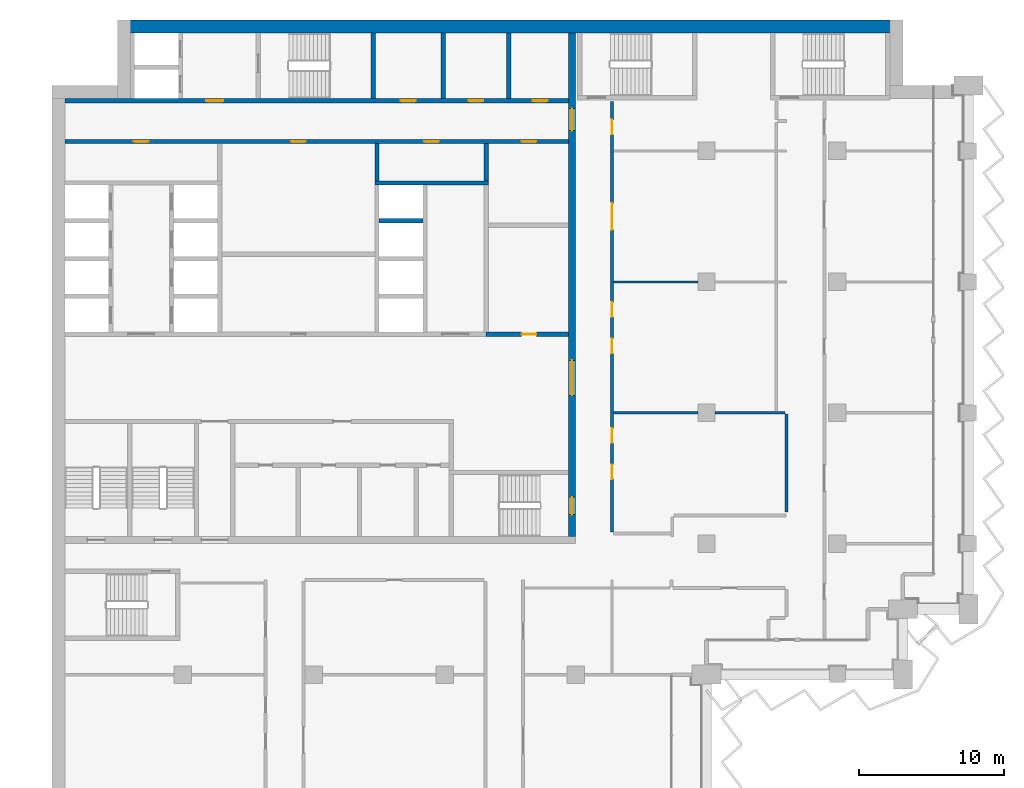
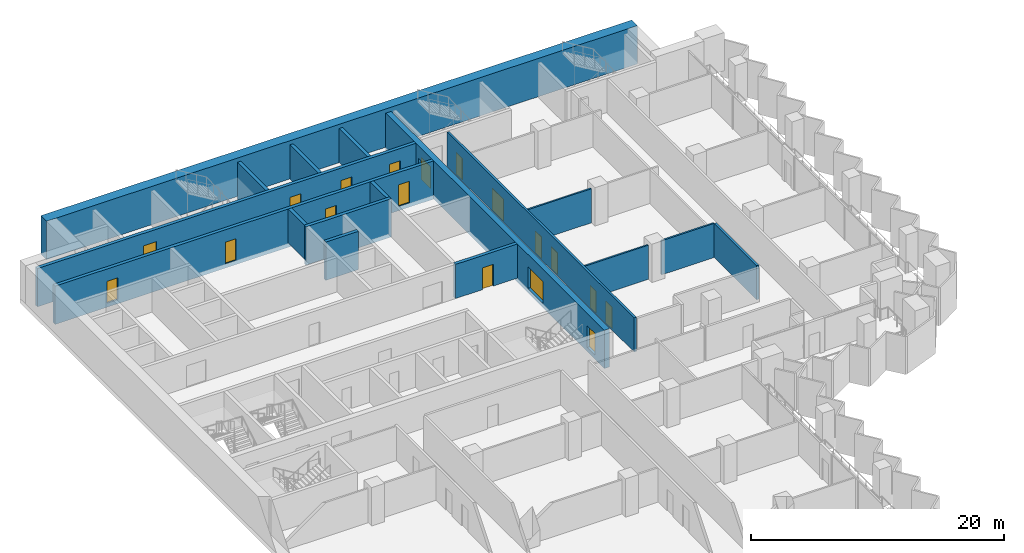
# One storey, part 13 of 22: 18 doors, 17 walls, 18 openings.
"""IFC4 building model written with IfcOpenShell, lengths in metres."""

from ifc_helpers import new_model, si_unit, direction, frame, frame_2d, origin, place, context, subcontext, project, spatial, rectangle, extrude, material, layer, layer_set, type_object, element, fill, save


model = new_model("IFC4")

# Units and contexts
model_context = context("Model", 3, precision=1e-05, world=origin(), true_north=direction((0.0, 1.0)))
body_context = subcontext(model_context, "Body", "Model", "MODEL_VIEW")
ifc_project = project(units=[si_unit("LENGTHUNIT", "METRE"), si_unit("AREAUNIT", "SQUARE_METRE"), si_unit("VOLUMEUNIT", "CUBIC_METRE"), si_unit("PLANEANGLEUNIT", "RADIAN"), si_unit("MASSUNIT", "GRAM", prefix="KILO")], contexts=[model_context])

# Site, building, storey
site_placement = place(None, origin())
site = spatial("IfcSite", under=ifc_project, at=site_placement, CompositionType="ELEMENT")
building_placement = place(site_placement, origin())
building = spatial("IfcBuilding", under=site, at=building_placement, Name="Hunhe Ridgeline Campus", CompositionType="ELEMENT")
storey_placement = place(building_placement, frame((0.0, 0.0, 159.699951171875)))
storey = spatial("IfcBuildingStorey", under=building, at=storey_placement, Name="L40", CompositionType="ELEMENT", Elevation=159.699951171875)

# Wall, opening, door
ifc_material_1 = material(Name="Masonry concrete blockwork", Category="masonry")
ifc_layer_1 = layer(ifc_material_1, 0.300048828125)
ifc_layer_set_1 = layer_set([ifc_layer_1], Name="Core room partition 300 concrete block")
wall_type_1 = type_object("IfcWallType", Name="Core room partition 300 concrete block", PredefinedType="PARTITIONING", material=ifc_layer_set_1)
wall_1_placement = place(storey_placement, frame((29.85009765625, 77.39990234375, 0.0), z_axis=(0.0, 0.0, 1.0), x_axis=(1.0, 0.0, 0.0)))
wall_1 = element("IfcWall", 1, at=wall_1_placement, inside=storey, type_object=wall_type_1, Name="L40 core partition 13", PredefinedType="PARTITIONING", context=body_context, shape_type="SweptSolid", body=[
    extrude(rectangle(XDim=5.64990234375, YDim=0.300048828125, at=frame_2d((2.824951171875, 0.0))), origin(), (0.0, 0.0, 1.0), 3.300048828125),
])
opening_1_placement = place(wall_1_placement, frame((2.449951171875, 0.0, 0.0)))
opening_1 = element("IfcOpeningElement", 2, at=opening_1_placement, cuts=wall_1, Name="Opening CD32", PredefinedType="OPENING", context=body_context, shape_type="SweptSolid", body=[
    extrude(rectangle(XDim=1.0, YDim=2.10009765625, at=frame_2d((0.5, 1.050048828125))), frame((0.0, 0.14990234375, 0.0), z_axis=(0.0, -1.0, 0.0), x_axis=(1.0, 0.0, 0.0)), (0.0, 0.0, 1.0), 0.300048828125),
])
ifc_material_2 = material(Name="Solid core timber door leaf", Category="wood")
door_type_1 = type_object("IfcDoorType", Name="Timber door 1000x2100", OperationType="SINGLE_SWING_LEFT", PredefinedType="DOOR", material=ifc_material_2)
door_1_placement = place(opening_1_placement, origin())
door_1 = element("IfcDoor", 3, at=door_1_placement, inside=storey, type_object=door_type_1, Name="L40 door ES0", OperationType="SINGLE_SWING_LEFT", OverallHeight=2.10009765625, OverallWidth=1.0, PredefinedType="DOOR", context=body_context, shape_type="SweptSolid", body=[
    extrude(rectangle(XDim=1.0, YDim=2.10009765625, at=frame_2d((0.5, 1.050048828125))), frame((0.0, 0.02490234375, 0.0), z_axis=(0.0, -1.0, 0.0), x_axis=(1.0, 0.0, 0.0)), (0.0, 0.0, 1.0), 0.050048828125),
])
fill(opening_1, door_1)

# Walls
wall_2_placement = place(storey_placement, frame((22.35009765625, 87.949951171875, 0.0), z_axis=(0.0, 0.0, 1.0), x_axis=(0.0, 1.0, 0.0)))
element("IfcWall", 4, at=wall_2_placement, inside=storey, type_object=wall_type_1, Name="L40 core partition 49", PredefinedType="PARTITIONING", context=body_context, shape_type="SweptSolid", body=[
    extrude(rectangle(XDim=2.550048828125, YDim=0.300048828125, at=frame_2d((1.27490234375, 0.0))), origin(), (0.0, 0.0, 1.0), 3.300048828125),
])
wall_3_placement = place(storey_placement, frame((26.89990234375, 93.60009765625, 0.0), z_axis=(0.0, 0.0, 1.0), x_axis=(0.0, 1.0, 0.0)))
element("IfcWall", 5, at=wall_3_placement, inside=storey, type_object=wall_type_1, Name="L40 core partition 53", PredefinedType="PARTITIONING", context=body_context, shape_type="SweptSolid", body=[
    extrude(rectangle(XDim=4.5, YDim=0.300048828125, at=frame_2d((2.25, 0.0))), origin(), (0.0, 0.0, 1.0), 3.300048828125),
])
wall_4_placement = place(storey_placement, frame((29.85009765625, 87.949951171875, 0.0), z_axis=(0.0, 0.0, 1.0), x_axis=(0.0, 1.0, 0.0)))
element("IfcWall", 6, at=wall_4_placement, inside=storey, type_object=wall_type_1, Name="L40 core partition 57", PredefinedType="PARTITIONING", context=body_context, shape_type="SweptSolid", body=[
    extrude(rectangle(XDim=2.550048828125, YDim=0.300048828125, at=frame_2d((1.27490234375, 0.0))), origin(), (0.0, 0.0, 1.0), 3.300048828125),
])
wall_5_placement = place(storey_placement, frame((31.39990234375, 93.60009765625, 0.0), z_axis=(0.0, 0.0, 1.0), x_axis=(0.0, 1.0, 0.0)))
element("IfcWall", 7, at=wall_5_placement, inside=storey, type_object=wall_type_1, Name="L40 core partition 58", PredefinedType="PARTITIONING", context=body_context, shape_type="SweptSolid", body=[
    extrude(rectangle(XDim=4.5, YDim=0.300048828125, at=frame_2d((2.25, 0.0))), origin(), (0.0, 0.0, 1.0), 3.300048828125),
])

# Wall, openings, doors
ifc_material_3 = material(Name="Concrete C70", Category="concrete")
ifc_layer_2 = layer(ifc_material_3, 0.5)
ifc_layer_set_2 = layer_set([ifc_layer_2], Name="Core wall 500 reinforced concrete C70")
wall_type_2 = type_object("IfcWallType", Name="Core wall 500 reinforced concrete C70", PredefinedType="SOLIDWALL", material=ifc_layer_set_2)
wall_6_placement = place(storey_placement, frame((35.75, 63.5, -0.39990234375), z_axis=(0.0, 0.0, 1.0), x_axis=(0.0, 1.0, 0.0)))
wall_6 = element("IfcWall", 8, at=wall_6_placement, inside=storey, type_object=wall_type_2, Name="L40 core wall 59", PredefinedType="SOLIDWALL", context=body_context, shape_type="SweptSolid", body=[
    extrude(rectangle(XDim=34.60009765625, YDim=0.5, at=frame_2d((17.300048828125, 0.0))), origin(), (0.0, 0.0, 1.0), 3.699951171875),
])
opening_2_placement = place(wall_6_placement, frame((9.699951171875, 0.0, 0.39990234375)))
opening_2 = element("IfcOpeningElement", 9, at=opening_2_placement, cuts=wall_6, Name="Opening CD4", PredefinedType="OPENING", context=body_context, shape_type="SweptSolid", body=[
    extrude(rectangle(XDim=2.39990234375, YDim=2.10009765625, at=frame_2d((1.199951171875, 1.050048828125))), frame((0.0, 0.25, 0.0), z_axis=(0.0, -1.0, 0.0), x_axis=(1.0, 0.0, 0.0)), (0.0, 0.0, 1.0), 0.5),
])
opening_3_placement = place(wall_6_placement, frame((27.89990234375, 0.0, 0.39990234375)))
opening_3 = element("IfcOpeningElement", 10, at=opening_3_placement, cuts=wall_6, Name="Opening CD5", PredefinedType="OPENING", context=body_context, shape_type="SweptSolid", body=[
    extrude(rectangle(XDim=1.5, YDim=2.10009765625, at=frame_2d((0.75, 1.050048828125))), frame((0.0, 0.25, 0.0), z_axis=(0.0, -1.0, 0.0), x_axis=(1.0, 0.0, 0.0)), (0.0, 0.0, 1.0), 0.5),
])
opening_4_placement = place(wall_6_placement, frame((1.5, 0.0, 0.39990234375)))
opening_4 = element("IfcOpeningElement", 11, at=opening_4_placement, cuts=wall_6, Name="Opening CD15", PredefinedType="OPENING", context=body_context, shape_type="SweptSolid", body=[
    extrude(rectangle(XDim=1.199951171875, YDim=2.10009765625, at=frame_2d((0.60009765625, 1.050048828125))), frame((0.0, 0.25, 0.0), z_axis=(0.0, -1.0, 0.0), x_axis=(1.0, 0.0, 0.0)), (0.0, 0.0, 1.0), 0.5),
])
ifc_material_4 = material(Name="Anodised aluminium and glass", Category="aluminium")
door_type_2 = type_object("IfcDoorType", Name="Glazed double door 2400x2100", OperationType="DOUBLE_DOOR_SINGLE_SWING", PredefinedType="DOOR", material=ifc_material_4)
door_2_placement = place(opening_2_placement, frame((2.39990234375, 0.0, 0.0), z_axis=(0.0, 0.0, 1.0), x_axis=(-1.0, 0.0, 0.0)))
door_2 = element("IfcDoor", 12, at=door_2_placement, inside=storey, type_object=door_type_2, Name="L40 door HALL-FLOOR", OperationType="DOUBLE_DOOR_SINGLE_SWING", OverallHeight=2.10009765625, OverallWidth=2.39990234375, PredefinedType="DOOR", context=body_context, shape_type="SweptSolid", body=[
    extrude(rectangle(XDim=2.39990234375, YDim=2.10009765625, at=frame_2d((1.199951171875, 1.050048828125))), frame((0.0, 0.02490234375, 0.0), z_axis=(0.0, -1.0, 0.0), x_axis=(1.0, 0.0, 0.0)), (0.0, 0.0, 1.0), 0.050048828125),
])
fill(opening_2, door_2)
ifc_material_5 = material(Name="Hollow metal fire door leaf")
door_type_3 = type_object("IfcDoorType", Name="Stair door 1200x2100 FD60", OperationType="SINGLE_SWING_LEFT", PredefinedType="DOOR", material=ifc_material_5)
door_3_placement = place(opening_4_placement, frame((1.199951171875, 0.0, 0.0), z_axis=(0.0, 0.0, 1.0), x_axis=(-1.0, 0.0, 0.0)))
door_3 = element("IfcDoor", 13, at=door_3_placement, inside=storey, type_object=door_type_3, Name="L40 door S2-FLOOR", OperationType="SINGLE_SWING_RIGHT", OverallHeight=2.10009765625, OverallWidth=1.199951171875, PredefinedType="DOOR", context=body_context, shape_type="SweptSolid", body=[
    extrude(rectangle(XDim=1.199951171875, YDim=2.10009765625, at=frame_2d((0.60009765625, 1.050048828125))), frame((0.0, 0.02490234375, 0.0), z_axis=(0.0, -1.0, 0.0), x_axis=(1.0, 0.0, 0.0)), (0.0, 0.0, 1.0), 0.050048828125),
])
fill(opening_4, door_3)
door_type_4 = type_object("IfcDoorType", Name="Timber door 1500x2100", OperationType="SINGLE_SWING_LEFT", PredefinedType="DOOR", material=ifc_material_2)
door_4_placement = place(opening_3_placement, frame((1.5, 0.0, 0.0), z_axis=(0.0, 0.0, 1.0), x_axis=(-1.0, 0.0, 0.0)))
door_4 = element("IfcDoor", 14, at=door_4_placement, inside=storey, type_object=door_type_4, Name="L40 door C1-FLOOR", OperationType="SINGLE_SWING_RIGHT", OverallHeight=2.10009765625, OverallWidth=1.5, PredefinedType="DOOR", context=body_context, shape_type="SweptSolid", body=[
    extrude(rectangle(XDim=1.5, YDim=2.10009765625, at=frame_2d((0.75, 1.050048828125))), frame((0.0, 0.02490234375, 0.0), z_axis=(0.0, -1.0, 0.0), x_axis=(1.0, 0.0, 0.0)), (0.0, 0.0, 1.0), 0.050048828125),
])
fill(opening_3, door_4)

ifc_material_6 = material(Name="Gypsum board partition")
ifc_layer_3 = layer(ifc_material_6, 0.199951171875)
ifc_layer_set_3 = layer_set([ifc_layer_3], Name="Corridor partition 200 gypsum board on steel studs")
wall_type_3 = type_object("IfcWallType", Name="Corridor partition 200 gypsum board on steel studs", PredefinedType="PARTITIONING", material=ifc_layer_set_3)
wall_7_placement = place(storey_placement, frame((38.5, 93.39599609375, 0.0), z_axis=(0.0, 0.0, 1.0), x_axis=(0.0, -1.0, 0.0)))
wall_7 = element("IfcWall", 15, at=wall_7_placement, inside=storey, type_object=wall_type_3, Name="F-L40-wall-064", PredefinedType="PARTITIONING", context=body_context, shape_type="SweptSolid", body=[
    extrude(rectangle(XDim=29.595947265625, YDim=0.199951171875, at=frame_2d((14.7978515625, 0.0))), origin(), (0.0, 0.0, 1.0), 3.300048828125),
])
opening_5_placement = place(wall_7_placement, frame((24.95751953125, 0.0, 0.0)))
opening_5 = element("IfcOpeningElement", 16, at=opening_5_placement, cuts=wall_7, Name="Opening RD1-030", PredefinedType="OPENING", context=body_context, shape_type="SweptSolid", body=[
    extrude(rectangle(XDim=1.0, YDim=2.10009765625, at=frame_2d((0.5, 1.050048828125))), frame((0.0, 0.10009765625, 0.0), z_axis=(0.0, -1.0, 0.0), x_axis=(1.0, 0.0, 0.0)), (0.0, 0.0, 1.0), 0.199951171875),
])
opening_6_placement = place(wall_7_placement, frame((22.45751953125, 0.0, 0.0)))
opening_6 = element("IfcOpeningElement", 17, at=opening_6_placement, cuts=wall_7, Name="Opening RD1-031", PredefinedType="OPENING", context=body_context, shape_type="SweptSolid", body=[
    extrude(rectangle(XDim=1.0, YDim=2.10009765625, at=frame_2d((0.5, 1.050048828125))), frame((0.0, 0.10009765625, 0.0), z_axis=(0.0, -1.0, 0.0), x_axis=(1.0, 0.0, 0.0)), (0.0, 0.0, 1.0), 0.199951171875),
])
opening_7_placement = place(wall_7_placement, frame((16.304443359375, 0.0, 0.0)))
opening_7 = element("IfcOpeningElement", 18, at=opening_7_placement, cuts=wall_7, Name="Opening RD1-032", PredefinedType="OPENING", context=body_context, shape_type="SweptSolid", body=[
    extrude(rectangle(XDim=1.0, YDim=2.10009765625, at=frame_2d((0.5, 1.050048828125))), frame((0.0, 0.10009765625, 0.0), z_axis=(0.0, -1.0, 0.0), x_axis=(1.0, 0.0, 0.0)), (0.0, 0.0, 1.0), 0.199951171875),
])
opening_8_placement = place(wall_7_placement, frame((13.804443359375, 0.0, 0.0)))
opening_8 = element("IfcOpeningElement", 19, at=opening_8_placement, cuts=wall_7, Name="Opening RD1-034", PredefinedType="OPENING", context=body_context, shape_type="SweptSolid", body=[
    extrude(rectangle(XDim=1.0, YDim=2.10009765625, at=frame_2d((0.5, 1.050048828125))), frame((0.0, 0.10009765625, 0.0), z_axis=(0.0, -1.0, 0.0), x_axis=(1.0, 0.0, 0.0)), (0.0, 0.0, 1.0), 0.199951171875),
])
opening_9_placement = place(wall_7_placement, frame((7.00048828125, 0.0, 0.0)))
opening_9 = element("IfcOpeningElement", 20, at=opening_9_placement, cuts=wall_7, Name="Opening RD2-035", PredefinedType="OPENING", context=body_context, shape_type="SweptSolid", body=[
    extrude(rectangle(XDim=1.800048828125, YDim=2.10009765625, at=frame_2d((0.89990234375, 1.050048828125))), frame((0.0, 0.10009765625, 0.0), z_axis=(0.0, -1.0, 0.0), x_axis=(1.0, 0.0, 0.0)), (0.0, 0.0, 1.0), 0.199951171875),
])
opening_10_placement = place(wall_7_placement, frame((1.255615234375, 0.0, 0.0)))
opening_10 = element("IfcOpeningElement", 21, at=opening_10_placement, cuts=wall_7, Name="Opening RD1-037", PredefinedType="OPENING", context=body_context, shape_type="SweptSolid", body=[
    extrude(rectangle(XDim=1.0, YDim=2.10009765625, at=frame_2d((0.5, 1.050048828125))), frame((0.0, 0.10009765625, 0.0), z_axis=(0.0, -1.0, 0.0), x_axis=(1.0, 0.0, 0.0)), (0.0, 0.0, 1.0), 0.199951171875),
])
ifc_material_7 = material(Name="Timber door leaf", Category="wood")
door_type_5 = type_object("IfcDoorType", Name="Double fire door 1800x2100 timber FD60", OperationType="DOUBLE_DOOR_SINGLE_SWING", PredefinedType="DOOR", material=ifc_material_7)
door_5_placement = place(opening_9_placement, origin())
door_5 = element("IfcDoor", 22, at=door_5_placement, inside=storey, type_object=door_type_5, Name="F-L40-door-035", OperationType="DOUBLE_DOOR_SINGLE_SWING", OverallHeight=2.10009765625, OverallWidth=1.800048828125, PredefinedType="DOOR", context=body_context, shape_type="SweptSolid", body=[
    extrude(rectangle(XDim=1.800048828125, YDim=2.10009765625, at=frame_2d((0.89990234375, 1.050048828125))), frame((0.0, 0.02490234375, 0.0), z_axis=(0.0, -1.0, 0.0), x_axis=(1.0, 0.0, 0.0)), (0.0, 0.0, 1.0), 0.050048828125),
])
fill(opening_9, door_5)
door_type_6 = type_object("IfcDoorType", Name="Single fire door 1000x2100 timber FD60", OperationType="NOTDEFINED", PredefinedType="DOOR", material=ifc_material_7)
door_6_placement = place(opening_5_placement, frame((1.0, 0.0, 0.0), z_axis=(0.0, 0.0, 1.0), x_axis=(-1.0, 0.0, 0.0)))
door_6 = element("IfcDoor", 23, at=door_6_placement, inside=storey, type_object=door_type_6, Name="F-L40-door-030", OperationType="SINGLE_SWING_LEFT", OverallHeight=2.10009765625, OverallWidth=1.0, PredefinedType="DOOR", context=body_context, shape_type="SweptSolid", body=[
    extrude(rectangle(XDim=1.0, YDim=2.10009765625, at=frame_2d((0.5, 1.050048828125))), frame((0.0, 0.02490234375, 0.0), z_axis=(0.0, -1.0, 0.0), x_axis=(1.0, 0.0, 0.0)), (0.0, 0.0, 1.0), 0.050048828125),
])
fill(opening_5, door_6)
door_7_placement = place(opening_6_placement, frame((1.0, 0.0, 0.0), z_axis=(0.0, 0.0, 1.0), x_axis=(-1.0, 0.0, 0.0)))
door_7 = element("IfcDoor", 24, at=door_7_placement, inside=storey, type_object=door_type_6, Name="F-L40-door-031", OperationType="SINGLE_SWING_RIGHT", OverallHeight=2.10009765625, OverallWidth=1.0, PredefinedType="DOOR", context=body_context, shape_type="SweptSolid", body=[
    extrude(rectangle(XDim=1.0, YDim=2.10009765625, at=frame_2d((0.5, 1.050048828125))), frame((0.0, 0.02490234375, 0.0), z_axis=(0.0, -1.0, 0.0), x_axis=(1.0, 0.0, 0.0)), (0.0, 0.0, 1.0), 0.050048828125),
])
fill(opening_6, door_7)
door_8_placement = place(opening_7_placement, frame((1.0, 0.0, 0.0), z_axis=(0.0, 0.0, 1.0), x_axis=(-1.0, 0.0, 0.0)))
door_8 = element("IfcDoor", 25, at=door_8_placement, inside=storey, type_object=door_type_6, Name="F-L40-door-032", OperationType="SINGLE_SWING_RIGHT", OverallHeight=2.10009765625, OverallWidth=1.0, PredefinedType="DOOR", context=body_context, shape_type="SweptSolid", body=[
    extrude(rectangle(XDim=1.0, YDim=2.10009765625, at=frame_2d((0.5, 1.050048828125))), frame((0.0, 0.02490234375, 0.0), z_axis=(0.0, -1.0, 0.0), x_axis=(1.0, 0.0, 0.0)), (0.0, 0.0, 1.0), 0.050048828125),
])
fill(opening_7, door_8)
door_9_placement = place(opening_8_placement, frame((1.0, 0.0, 0.0), z_axis=(0.0, 0.0, 1.0), x_axis=(-1.0, 0.0, 0.0)))
door_9 = element("IfcDoor", 26, at=door_9_placement, inside=storey, type_object=door_type_6, Name="F-L40-door-034", OperationType="SINGLE_SWING_RIGHT", OverallHeight=2.10009765625, OverallWidth=1.0, PredefinedType="DOOR", context=body_context, shape_type="SweptSolid", body=[
    extrude(rectangle(XDim=1.0, YDim=2.10009765625, at=frame_2d((0.5, 1.050048828125))), frame((0.0, 0.02490234375, 0.0), z_axis=(0.0, -1.0, 0.0), x_axis=(1.0, 0.0, 0.0)), (0.0, 0.0, 1.0), 0.050048828125),
])
fill(opening_8, door_9)
door_10_placement = place(opening_10_placement, origin())
door_10 = element("IfcDoor", 27, at=door_10_placement, inside=storey, type_object=door_type_6, Name="F-L40-door-037", OperationType="SINGLE_SWING_LEFT", OverallHeight=2.10009765625, OverallWidth=1.0, PredefinedType="DOOR", context=body_context, shape_type="SweptSolid", body=[
    extrude(rectangle(XDim=1.0, YDim=2.10009765625, at=frame_2d((0.5, 1.050048828125))), frame((0.0, 0.02490234375, 0.0), z_axis=(0.0, -1.0, 0.0), x_axis=(1.0, 0.0, 0.0)), (0.0, 0.0, 1.0), 0.050048828125),
])
fill(opening_10, door_10)

# Wall
wall_8_placement = place(storey_placement, frame((50.5, 65.193603515625, 0.0), z_axis=(0.0, 0.0, 1.0), x_axis=(0.0, 1.0, 0.0)))
element("IfcWall", 28, at=wall_8_placement, inside=storey, type_object=wall_type_3, Name="F-L40-wall-073", PredefinedType="PARTITIONING", context=body_context, shape_type="SweptSolid", body=[
    extrude(rectangle(XDim=6.7314453125, YDim=0.199951171875, at=frame_2d((3.36572265625, 0.0))), origin(), (0.0, 0.0, 1.0), 3.300048828125),
])

# Wall, openings, doors
ifc_layer_4 = layer(ifc_material_3, 0.300048828125)
ifc_layer_set_4 = layer_set([ifc_layer_4], Name="Lobby wall 300 reinforced concrete C70")
wall_type_4 = type_object("IfcWallType", Name="Lobby wall 300 reinforced concrete C70", PredefinedType="SOLIDWALL", material=ifc_layer_set_4)
wall_9_placement = place(storey_placement, frame((0.89990234375, 90.64990234375, -0.39990234375), z_axis=(0.0, 0.0, 1.0), x_axis=(1.0, 0.0, 0.0)))
wall_9 = element("IfcWall", 29, at=wall_9_placement, inside=storey, type_object=wall_type_4, Name="L40 core wall 27", PredefinedType="SOLIDWALL", context=body_context, shape_type="SweptSolid", body=[
    extrude(rectangle(XDim=34.60009765625, YDim=0.300048828125, at=frame_2d((17.300048828125, 0.0))), origin(), (0.0, 0.0, 1.0), 3.699951171875),
])
opening_11_placement = place(wall_9_placement, frame((4.75, 0.0, 0.39990234375)))
opening_11 = element("IfcOpeningElement", 30, at=opening_11_placement, cuts=wall_9, Name="Opening CD26", PredefinedType="OPENING", context=body_context, shape_type="SweptSolid", body=[
    extrude(rectangle(XDim=1.0, YDim=2.10009765625, at=frame_2d((0.5, 1.050048828125))), frame((0.0, 0.14990234375, 0.0), z_axis=(0.0, -1.0, 0.0), x_axis=(1.0, 0.0, 0.0)), (0.0, 0.0, 1.0), 0.300048828125),
])
opening_12_placement = place(wall_9_placement, frame((24.699951171875, 0.0, 0.39990234375)))
opening_12 = element("IfcOpeningElement", 31, at=opening_12_placement, cuts=wall_9, Name="Opening CD27", PredefinedType="OPENING", context=body_context, shape_type="SweptSolid", body=[
    extrude(rectangle(XDim=1.0, YDim=2.10009765625, at=frame_2d((0.5, 1.050048828125))), frame((0.0, 0.14990234375, 0.0), z_axis=(0.0, -1.0, 0.0), x_axis=(1.0, 0.0, 0.0)), (0.0, 0.0, 1.0), 0.300048828125),
])
opening_13_placement = place(wall_9_placement, frame((15.550048828125, 0.0, 0.39990234375)))
opening_13 = element("IfcOpeningElement", 32, at=opening_13_placement, cuts=wall_9, Name="Opening CD29", PredefinedType="OPENING", context=body_context, shape_type="SweptSolid", body=[
    extrude(rectangle(XDim=1.0, YDim=2.10009765625, at=frame_2d((0.5, 1.050048828125))), frame((0.0, 0.14990234375, 0.0), z_axis=(0.0, -1.0, 0.0), x_axis=(1.0, 0.0, 0.0)), (0.0, 0.0, 1.0), 0.300048828125),
])
opening_14_placement = place(wall_9_placement, frame((31.39990234375, 0.0, 0.39990234375)))
opening_14 = element("IfcOpeningElement", 33, at=opening_14_placement, cuts=wall_9, Name="Opening CD33", PredefinedType="OPENING", context=body_context, shape_type="SweptSolid", body=[
    extrude(rectangle(XDim=1.0, YDim=2.10009765625, at=frame_2d((0.5, 1.050048828125))), frame((0.0, 0.14990234375, 0.0), z_axis=(0.0, -1.0, 0.0), x_axis=(1.0, 0.0, 0.0)), (0.0, 0.0, 1.0), 0.300048828125),
])
door_11_placement = place(opening_11_placement, frame((1.0, 0.0, 0.0), z_axis=(0.0, 0.0, 1.0), x_axis=(-1.0, 0.0, 0.0)))
door_11 = element("IfcDoor", 34, at=door_11_placement, inside=storey, type_object=door_type_1, Name="L40 door NR-0", OperationType="SINGLE_SWING_LEFT", OverallHeight=2.10009765625, OverallWidth=1.0, PredefinedType="DOOR", context=body_context, shape_type="SweptSolid", body=[
    extrude(rectangle(XDim=1.0, YDim=2.10009765625, at=frame_2d((0.5, 1.050048828125))), frame((0.0, 0.02490234375, 0.0), z_axis=(0.0, -1.0, 0.0), x_axis=(1.0, 0.0, 0.0)), (0.0, 0.0, 1.0), 0.050048828125),
])
fill(opening_11, door_11)
door_12_placement = place(opening_12_placement, frame((1.0, 0.0, 0.0), z_axis=(0.0, 0.0, 1.0), x_axis=(-1.0, 0.0, 0.0)))
door_12 = element("IfcDoor", 35, at=door_12_placement, inside=storey, type_object=door_type_1, Name="L40 door NR-1", OperationType="SINGLE_SWING_RIGHT", OverallHeight=2.10009765625, OverallWidth=1.0, PredefinedType="DOOR", context=body_context, shape_type="SweptSolid", body=[
    extrude(rectangle(XDim=1.0, YDim=2.10009765625, at=frame_2d((0.5, 1.050048828125))), frame((0.0, 0.02490234375, 0.0), z_axis=(0.0, -1.0, 0.0), x_axis=(1.0, 0.0, 0.0)), (0.0, 0.0, 1.0), 0.050048828125),
])
fill(opening_12, door_12)
door_13_placement = place(opening_13_placement, frame((1.0, 0.0, 0.0), z_axis=(0.0, 0.0, 1.0), x_axis=(-1.0, 0.0, 0.0)))
door_13 = element("IfcDoor", 36, at=door_13_placement, inside=storey, type_object=door_type_1, Name="L40 door VD-HR1", OperationType="SINGLE_SWING_RIGHT", OverallHeight=2.10009765625, OverallWidth=1.0, PredefinedType="DOOR", context=body_context, shape_type="SweptSolid", body=[
    extrude(rectangle(XDim=1.0, YDim=2.10009765625, at=frame_2d((0.5, 1.050048828125))), frame((0.0, 0.02490234375, 0.0), z_axis=(0.0, -1.0, 0.0), x_axis=(1.0, 0.0, 0.0)), (0.0, 0.0, 1.0), 0.050048828125),
])
fill(opening_13, door_13)
door_14_placement = place(opening_14_placement, frame((1.0, 0.0, 0.0), z_axis=(0.0, 0.0, 1.0), x_axis=(-1.0, 0.0, 0.0)))
door_14 = element("IfcDoor", 37, at=door_14_placement, inside=storey, type_object=door_type_1, Name="L40 door ES1", OperationType="SINGLE_SWING_LEFT", OverallHeight=2.10009765625, OverallWidth=1.0, PredefinedType="DOOR", context=body_context, shape_type="SweptSolid", body=[
    extrude(rectangle(XDim=1.0, YDim=2.10009765625, at=frame_2d((0.5, 1.050048828125))), frame((0.0, 0.02490234375, 0.0), z_axis=(0.0, -1.0, 0.0), x_axis=(1.0, 0.0, 0.0)), (0.0, 0.0, 1.0), 0.050048828125),
])
fill(opening_14, door_14)

# Walls
ifc_layer_5 = layer(ifc_material_6, 0.14990234375)
ifc_layer_set_5 = layer_set([ifc_layer_5], Name="Room partition 150 gypsum board on steel studs")
wall_type_5 = type_object("IfcWallType", Name="Room partition 150 gypsum board on steel studs", PredefinedType="PARTITIONING", material=ifc_layer_set_5)
wall_10_placement = place(storey_placement, frame((38.60009765625, 72.0, 0.0), z_axis=(0.0, 0.0, 1.0), x_axis=(1.0, 0.0, 0.0)))
element("IfcWall", 38, at=wall_10_placement, inside=storey, type_object=wall_type_5, Name="F-L40-wall-045", PredefinedType="PARTITIONING", context=body_context, shape_type="SweptSolid", body=[
    extrude(rectangle(XDim=5.7998046875, YDim=0.14990234375, at=frame_2d((2.89990234375, 0.0))), origin(), (0.0, 0.0, 1.0), 3.300048828125),
])
wall_11_placement = place(storey_placement, frame((45.60009765625, 72.0, 0.0), z_axis=(0.0, 0.0, 1.0), x_axis=(1.0, 0.0, 0.0)))
element("IfcWall", 39, at=wall_11_placement, inside=storey, type_object=wall_type_5, Name="F-L40-wall-046", PredefinedType="PARTITIONING", context=body_context, shape_type="SweptSolid", body=[
    extrude(rectangle(XDim=4.7998046875, YDim=0.14990234375, at=frame_2d((2.39990234375, 0.0))), origin(), (0.0, 0.0, 1.0), 3.300048828125),
])
wall_12_placement = place(storey_placement, frame((38.60009765625, 81.0, 0.0), z_axis=(0.0, 0.0, 1.0), x_axis=(1.0, 0.0, 0.0)))
element("IfcWall", 40, at=wall_12_placement, inside=storey, type_object=wall_type_5, Name="F-L40-wall-048", PredefinedType="PARTITIONING", context=body_context, shape_type="SweptSolid", body=[
    extrude(rectangle(XDim=5.7998046875, YDim=0.14990234375, at=frame_2d((2.89990234375, 0.0))), origin(), (0.0, 0.0, 1.0), 3.300048828125),
])
ifc_layer_6 = layer(ifc_material_3, 0.300048828125)
ifc_layer_set_6 = layer_set([ifc_layer_6], Name="Shaft wall 300 reinforced concrete C70")
wall_type_6 = type_object("IfcWallType", Name="Shaft wall 300 reinforced concrete C70", PredefinedType="SOLIDWALL", material=ifc_layer_set_6)
wall_13_placement = place(storey_placement, frame((22.5, 85.199951171875, -0.39990234375), z_axis=(0.0, 0.0, 1.0), x_axis=(1.0, 0.0, 0.0)))
element("IfcWall", 41, at=wall_13_placement, inside=storey, type_object=wall_type_6, Name="L40 core wall 24", PredefinedType="SOLIDWALL", context=body_context, shape_type="SweptSolid", body=[
    extrude(rectangle(XDim=3.0, YDim=0.300048828125, at=frame_2d((1.5, 0.0))), origin(), (0.0, 0.0, 1.0), 3.699951171875),
])
wall_14_placement = place(storey_placement, frame((22.199951171875, 87.800048828125, -0.39990234375), z_axis=(0.0, 0.0, 1.0), x_axis=(1.0, 0.0, 0.0)))
element("IfcWall", 42, at=wall_14_placement, inside=storey, type_object=wall_type_6, Name="L40 core wall 26", PredefinedType="SOLIDWALL", context=body_context, shape_type="SweptSolid", body=[
    extrude(rectangle(XDim=7.800048828125, YDim=0.300048828125, at=frame_2d((3.89990234375, 0.0))), origin(), (0.0, 0.0, 1.0), 3.699951171875),
])

# Wall, openings, doors
wall_15_placement = place(storey_placement, frame((0.89990234375, 93.449951171875, -0.39990234375), z_axis=(0.0, 0.0, 1.0), x_axis=(1.0, 0.0, 0.0)))
wall_15 = element("IfcWall", 43, at=wall_15_placement, inside=storey, type_object=wall_type_6, Name="L40 core wall 28", PredefinedType="SOLIDWALL", context=body_context, shape_type="SweptSolid", body=[
    extrude(rectangle(XDim=34.60009765625, YDim=0.300048828125, at=frame_2d((17.300048828125, 0.0))), origin(), (0.0, 0.0, 1.0), 3.699951171875),
])
opening_15_placement = place(wall_15_placement, frame((9.699951171875, 0.0, 0.39990234375)))
opening_15 = element("IfcOpeningElement", 44, at=opening_15_placement, cuts=wall_15, Name="Opening CD3", PredefinedType="OPENING", context=body_context, shape_type="SweptSolid", body=[
    extrude(rectangle(XDim=1.199951171875, YDim=2.10009765625, at=frame_2d((0.60009765625, 1.050048828125))), frame((0.0, 0.14990234375, 0.0), z_axis=(0.0, -1.0, 0.0), x_axis=(1.0, 0.0, 0.0)), (0.0, 0.0, 1.0), 0.300048828125),
])
opening_16_placement = place(wall_15_placement, frame((23.10009765625, 0.0, 0.39990234375)))
opening_16 = element("IfcOpeningElement", 45, at=opening_16_placement, cuts=wall_15, Name="Opening CD34", PredefinedType="OPENING", context=body_context, shape_type="SweptSolid", body=[
    extrude(rectangle(XDim=1.0, YDim=2.10009765625, at=frame_2d((0.5, 1.050048828125))), frame((0.0, 0.14990234375, 0.0), z_axis=(0.0, -1.0, 0.0), x_axis=(1.0, 0.0, 0.0)), (0.0, 0.0, 1.0), 0.300048828125),
])
opening_17_placement = place(wall_15_placement, frame((27.75, 0.0, 0.39990234375)))
opening_17 = element("IfcOpeningElement", 46, at=opening_17_placement, cuts=wall_15, Name="Opening CD35", PredefinedType="OPENING", context=body_context, shape_type="SweptSolid", body=[
    extrude(rectangle(XDim=1.0, YDim=2.10009765625, at=frame_2d((0.5, 1.050048828125))), frame((0.0, 0.14990234375, 0.0), z_axis=(0.0, -1.0, 0.0), x_axis=(1.0, 0.0, 0.0)), (0.0, 0.0, 1.0), 0.300048828125),
])
opening_18_placement = place(wall_15_placement, frame((32.175048828125, 0.0, 0.39990234375)))
opening_18 = element("IfcOpeningElement", 47, at=opening_18_placement, cuts=wall_15, Name="Opening CD36", PredefinedType="OPENING", context=body_context, shape_type="SweptSolid", body=[
    extrude(rectangle(XDim=1.0, YDim=2.10009765625, at=frame_2d((0.5, 1.050048828125))), frame((0.0, 0.14990234375, 0.0), z_axis=(0.0, -1.0, 0.0), x_axis=(1.0, 0.0, 0.0)), (0.0, 0.0, 1.0), 0.300048828125),
])
door_type_7 = type_object("IfcDoorType", Name="Lobby door 1200x2100 FD60", OperationType="SINGLE_SWING_LEFT", PredefinedType="DOOR", material=ifc_material_5)
door_15_placement = place(opening_15_placement, frame((1.199951171875, 0.0, 0.0), z_axis=(0.0, 0.0, 1.0), x_axis=(-1.0, 0.0, 0.0)))
door_15 = element("IfcDoor", 48, at=door_15_placement, inside=storey, type_object=door_type_7, Name="L40 door FF-C1", OperationType="SINGLE_SWING_LEFT", OverallHeight=2.10009765625, OverallWidth=1.199951171875, PredefinedType="DOOR", context=body_context, shape_type="SweptSolid", body=[
    extrude(rectangle(XDim=1.199951171875, YDim=2.10009765625, at=frame_2d((0.60009765625, 1.050048828125))), frame((0.0, 0.02490234375, 0.0), z_axis=(0.0, -1.0, 0.0), x_axis=(1.0, 0.0, 0.0)), (0.0, 0.0, 1.0), 0.050048828125),
])
fill(opening_15, door_15)
door_16_placement = place(opening_16_placement, origin())
door_16 = element("IfcDoor", 49, at=door_16_placement, inside=storey, type_object=door_type_1, Name="L40 door NB0", OperationType="SINGLE_SWING_LEFT", OverallHeight=2.10009765625, OverallWidth=1.0, PredefinedType="DOOR", context=body_context, shape_type="SweptSolid", body=[
    extrude(rectangle(XDim=1.0, YDim=2.10009765625, at=frame_2d((0.5, 1.050048828125))), frame((0.0, 0.02490234375, 0.0), z_axis=(0.0, -1.0, 0.0), x_axis=(1.0, 0.0, 0.0)), (0.0, 0.0, 1.0), 0.050048828125),
])
fill(opening_16, door_16)
door_17_placement = place(opening_17_placement, origin())
door_17 = element("IfcDoor", 50, at=door_17_placement, inside=storey, type_object=door_type_1, Name="L40 door NB1", OperationType="SINGLE_SWING_RIGHT", OverallHeight=2.10009765625, OverallWidth=1.0, PredefinedType="DOOR", context=body_context, shape_type="SweptSolid", body=[
    extrude(rectangle(XDim=1.0, YDim=2.10009765625, at=frame_2d((0.5, 1.050048828125))), frame((0.0, 0.02490234375, 0.0), z_axis=(0.0, -1.0, 0.0), x_axis=(1.0, 0.0, 0.0)), (0.0, 0.0, 1.0), 0.050048828125),
])
fill(opening_17, door_17)
door_18_placement = place(opening_18_placement, origin())
door_18 = element("IfcDoor", 51, at=door_18_placement, inside=storey, type_object=door_type_1, Name="L40 door NB2", OperationType="SINGLE_SWING_LEFT", OverallHeight=2.10009765625, OverallWidth=1.0, PredefinedType="DOOR", context=body_context, shape_type="SweptSolid", body=[
    extrude(rectangle(XDim=1.0, YDim=2.10009765625, at=frame_2d((0.5, 1.050048828125))), frame((0.0, 0.02490234375, 0.0), z_axis=(0.0, -1.0, 0.0), x_axis=(1.0, 0.0, 0.0)), (0.0, 0.0, 1.0), 0.050048828125),
])
fill(opening_18, door_18)

# Walls
ifc_layer_7 = layer(ifc_material_3, 0.89990234375)
ifc_layer_set_7 = layer_set([ifc_layer_7], Name="Spine wall 900 Concrete C70")
wall_type_7 = type_object("IfcWallType", Name="Spine wall 900 Concrete C70", PredefinedType="SHEAR", material=ifc_layer_set_7)
wall_16_placement = place(storey_placement, frame((58.5, 98.550048828125, 0.0), z_axis=(0.0, 0.0, 1.0), x_axis=(-1.0, 0.0, 0.0)))
element("IfcWall", 52, at=wall_16_placement, inside=storey, type_object=wall_type_7, Name="Spine wall SW2-4 L40", PredefinedType="SHEAR", context=body_context, shape_type="SweptSolid", body=[
    extrude(rectangle(XDim=54.0, YDim=0.89990234375, at=frame_2d((27.0, 0.0))), origin(), (0.0, 0.0, 1.0), 3.699951171875),
])
ifc_layer_8 = layer(ifc_material_3, 0.300048828125)
ifc_layer_set_8 = layer_set([ifc_layer_8], Name="Stair wall 300 reinforced concrete C70")
wall_type_8 = type_object("IfcWallType", Name="Stair wall 300 reinforced concrete C70", PredefinedType="SOLIDWALL", material=ifc_layer_set_8)
wall_17_placement = place(storey_placement, frame((22.10009765625, 93.60009765625, -0.39990234375), z_axis=(0.0, 0.0, 1.0), x_axis=(0.0, 1.0, 0.0)))
element("IfcWall", 53, at=wall_17_placement, inside=storey, type_object=wall_type_8, Name="L40 core wall 47", PredefinedType="SOLIDWALL", context=body_context, shape_type="SweptSolid", body=[
    extrude(rectangle(XDim=4.5, YDim=0.300048828125, at=frame_2d((2.25, 0.0))), origin(), (0.0, 0.0, 1.0), 3.699951171875),
])

save(model, "model.ifc")
